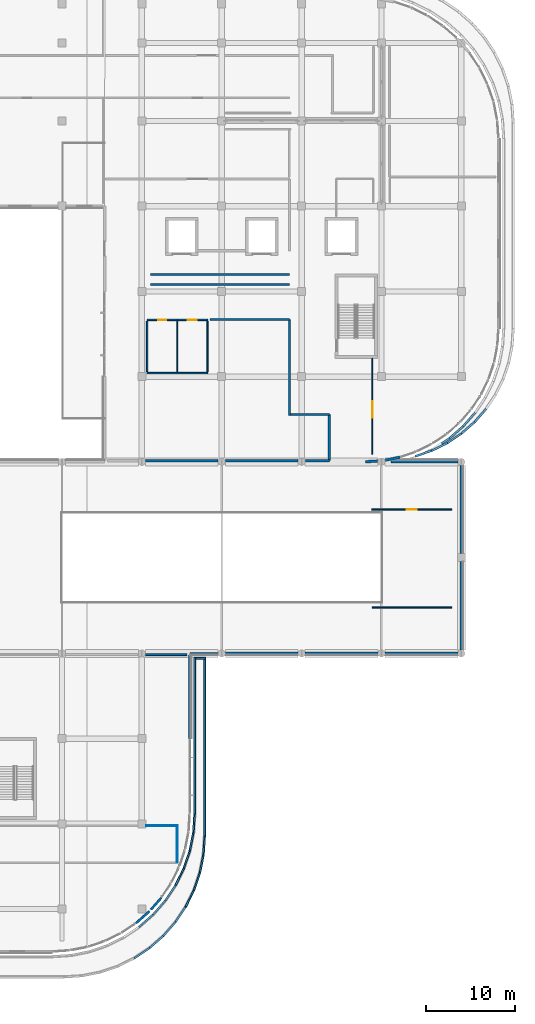
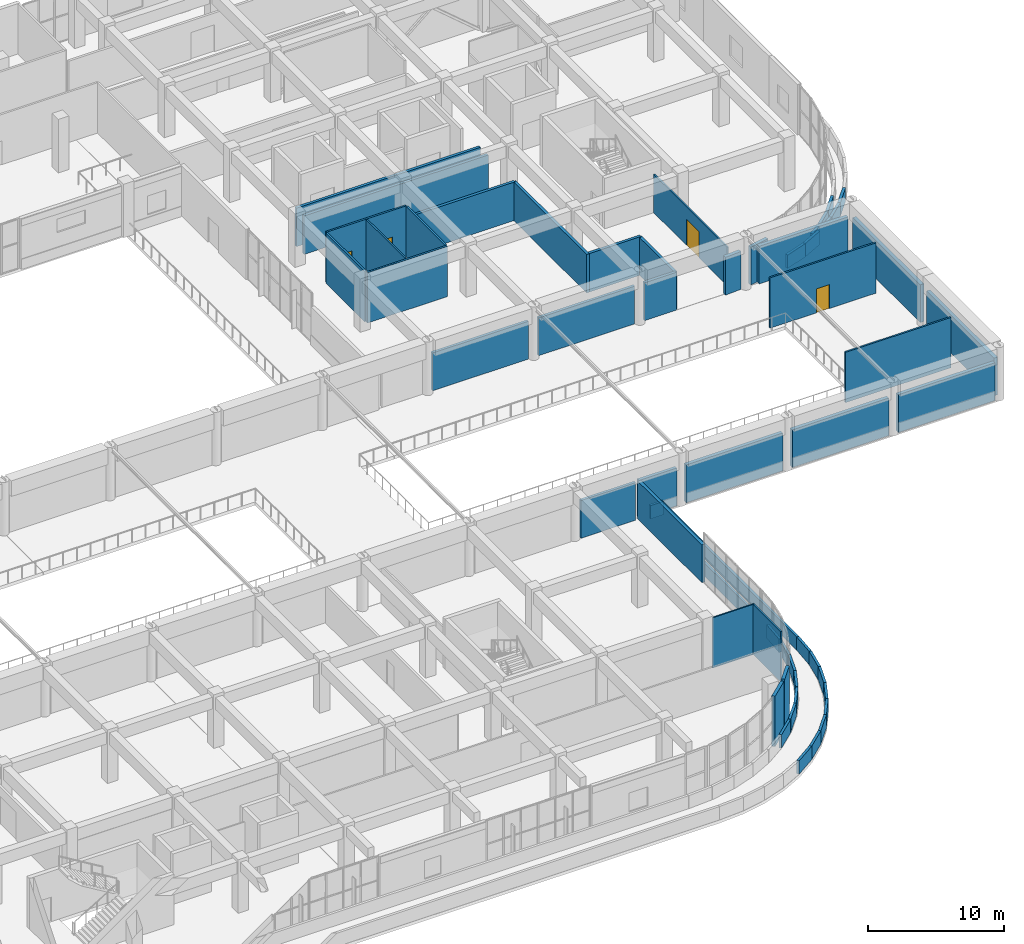
# One storey, part 71 of 96: 59 walls, 4 doors, 4 openings.
"""IFC4 building model written with IfcOpenShell, lengths in metres."""

from ifc_helpers import new_model, si_unit, direction, frame, frame_2d, origin, place, context, subcontext, project, spatial, rectangle, extrude, material, layer, layer_set, type_object, element, fill, save


model = new_model("IFC4")

# Units and contexts
model_context = context("Model", 3, precision=1e-05, world=origin(), true_north=direction((0.0, 1.0)))
body_context = subcontext(model_context, "Body", "Model", "MODEL_VIEW")
ifc_project = project(units=[si_unit("LENGTHUNIT", "METRE"), si_unit("AREAUNIT", "SQUARE_METRE"), si_unit("VOLUMEUNIT", "CUBIC_METRE"), si_unit("PLANEANGLEUNIT", "RADIAN"), si_unit("MASSUNIT", "GRAM", prefix="KILO")], contexts=[model_context])

# Site, building, storey
site_placement = place(None, origin())
site = spatial("IfcSite", under=ifc_project, at=site_placement, CompositionType="ELEMENT")
building_placement = place(site_placement, origin())
building = spatial("IfcBuilding", under=site, at=building_placement, Name="Cendralis Terraced Arcade", CompositionType="ELEMENT")
storey_placement = place(building_placement, frame((0.0, 0.0, 10.199951171875)))
storey = spatial("IfcBuildingStorey", under=building, at=storey_placement, Name="L02", CompositionType="ELEMENT", Elevation=10.199951171875)

# Walls
ifc_material_1 = material(Name="Autoclaved aerated concrete blockwork", Category="masonry")
ifc_layer_1 = layer(ifc_material_1, 0.221923828125, Name="WL-ACOU-222")
ifc_layer_set_1 = layer_set([ifc_layer_1], Name="Autoclaved aerated concrete blockwork")
wall_type_1 = type_object("IfcWallType", Name="WL-ACOU-222", PredefinedType="PARTITIONING", material=ifc_layer_set_1)
wall_1_placement = place(storey_placement, frame((130.6201171875, 38.280029296875, 0.0), z_axis=(0.0, 0.0, 1.0), x_axis=(1.0, 0.0, 0.0)))
element("IfcWall", 1, at=wall_1_placement, inside=storey, type_object=wall_type_1, Name="Interior Partition Wall IW-L02-0485", PredefinedType="PARTITIONING", context=body_context, shape_type="SweptSolid", body=[
    extrude(rectangle(XDim=4.639892578125, YDim=0.221923828125, at=frame_2d((2.31982421875, 0.0))), origin(), (0.0, 0.0, 1.0), 3.39013671875),
])
ifc_material_2 = material(Name="Precast concrete f'c 40 MPa", Category="concrete")
ifc_layer_2 = layer(ifc_material_2, 0.300048828125, Name="WL-EXT-GRC-300")
ifc_layer_set_2 = layer_set([ifc_layer_2], Name="Precast concrete f'c 40 MPa")
wall_type_2 = type_object("IfcWallType", Name="WL-EXT-GRC-300", PredefinedType="SOLIDWALL", material=ifc_layer_set_2)
wall_2_placement = place(storey_placement, frame((159.2822265625, 60.510986328125, 0.0), z_axis=(0.0, 0.0, 1.0), x_axis=(-0.980793314538, -0.195049927345, 0.0)))
element("IfcWall", 2, at=wall_2_placement, inside=storey, type_object=wall_type_2, Name="Exterior Architectural Wall EW-L02-0191", PredefinedType="SOLIDWALL", context=body_context, shape_type="SweptSolid", body=[
    extrude(rectangle(XDim=1.673583984375, YDim=0.300048828125, at=frame_2d((0.8369140625, 0.0))), origin(), (0.0, 0.0, 1.0), 3.39013671875),
])
wall_3_placement = place(storey_placement, frame((156.77001953125, 60.08984375, 0.0), z_axis=(0.0, 0.0, 1.0), x_axis=(-0.99785694905, -0.065433242561, 0.0)))
element("IfcWall", 3, at=wall_3_placement, inside=storey, type_object=wall_type_2, Name="Exterior Architectural Wall EW-L02-0192", PredefinedType="SOLIDWALL", context=body_context, shape_type="SweptSolid", body=[
    extrude(rectangle(XDim=1.373046875, YDim=0.300048828125, at=frame_2d((0.6865234375, 0.0))), origin(), (0.0, 0.0, 1.0), 3.39013671875),
])
wall_4_placement = place(storey_placement, frame((158.255859375, 60.0, 0.0), z_axis=(0.0, 0.0, 1.0), x_axis=(1.0, 0.0, 0.0)))
element("IfcWall", 4, at=wall_4_placement, inside=storey, type_object=wall_type_2, Name="Exterior Architectural Wall EW-L02-0194", PredefinedType="SOLIDWALL", context=body_context, shape_type="SweptSolid", body=[
    extrude(rectangle(XDim=7.546142578125, YDim=0.300048828125, at=frame_2d((3.77294921875, 0.0))), origin(), (0.0, 0.0, 1.0), 3.39013671875),
])
wall_5_placement = place(storey_placement, frame((166.199951171875, 59.60205078125, 0.0), z_axis=(0.0, 0.0, 1.0), x_axis=(0.0, -1.0, 0.0)))
element("IfcWall", 5, at=wall_5_placement, inside=storey, type_object=wall_type_2, Name="Exterior Architectural Wall EW-L02-0195", PredefinedType="SOLIDWALL", context=body_context, shape_type="SweptSolid", body=[
    extrude(rectangle(XDim=9.9541015625, YDim=0.300048828125, at=frame_2d((4.97705078125, 0.0))), origin(), (0.0, 0.0, 1.0), 3.39013671875),
])
wall_6_placement = place(storey_placement, frame((166.199951171875, 48.751953125, 0.0), z_axis=(0.0, 0.0, 1.0), x_axis=(0.0, -1.0, 0.0)))
element("IfcWall", 6, at=wall_6_placement, inside=storey, type_object=wall_type_2, Name="Exterior Architectural Wall EW-L02-0196", PredefinedType="SOLIDWALL", context=body_context, shape_type="SweptSolid", body=[
    extrude(rectangle(XDim=9.953857421875, YDim=0.300048828125, at=frame_2d((4.97705078125, 0.0))), origin(), (0.0, 0.0, 1.0), 3.39013671875),
])
for number, where, z_axis, x_axis, name in (
    (7, (165.802001953125, 38.39990234375, 0.0), (0.0, 0.0, 1.0), (-1.0, 0.0, 0.0), "Exterior Architectural Wall EW-L02-0197"),
    (8, (156.802001953125, 38.39990234375, 0.0), (0.0, 0.0, 1.0), (-1.0, 0.0, 0.0), "Exterior Architectural Wall EW-L02-0198"),
    (9, (147.802001953125, 38.39990234375, 0.0), (0.0, 0.0, 1.0), (-1.0, 0.0, 0.0), "Exterior Architectural Wall EW-L02-0199"),
):
    element("IfcWall", number, at=place(storey_placement, frame(where, z_axis=z_axis, x_axis=x_axis)), inside=storey, type_object=wall_type_2, Name=name, PredefinedType="SOLIDWALL", context=body_context, shape_type="SweptSolid", body=[
        extrude(rectangle(XDim=8.2041015625, YDim=0.300048828125, at=frame_2d((4.10205078125, 0.0))), origin(), (0.0, 0.0, 1.0), 3.39013671875),
    ])
ifc_material_3 = material(Name="Terracotta clay masonry", Category="masonry")
ifc_layer_3 = layer(ifc_material_3, 0.264892578125, Name="WL-EXT-TER-265")
ifc_layer_set_3 = layer_set([ifc_layer_3], Name="Terracotta clay masonry")
wall_type_3 = type_object("IfcWallType", Name="WL-EXT-TER-265", PredefinedType="SOLIDWALL", material=ifc_layer_set_3)
wall_7_placement = place(storey_placement, frame((138.802001953125, 38.39990234375, 0.0), z_axis=(0.0, 0.0, 1.0), x_axis=(-1.0, 0.0, 0.0)))
element("IfcWall", 10, at=wall_7_placement, inside=storey, type_object=wall_type_3, Name="Exterior Architectural Wall EW-L02-0200", PredefinedType="SOLIDWALL", context=body_context, shape_type="SweptSolid", body=[
    extrude(rectangle(XDim=3.201904296875, YDim=0.264892578125, at=frame_2d((1.60107421875, 0.0))), origin(), (0.0, 0.0, 1.0), 3.39013671875),
])
wall_8_placement = place(storey_placement, frame((135.60009765625, 38.24755859375, 0.0), z_axis=(0.0, 0.0, 1.0), x_axis=(0.0, -1.0, 0.0)))
element("IfcWall", 11, at=wall_8_placement, inside=storey, type_object=wall_type_3, Name="Exterior Architectural Wall EW-L02-0201", PredefinedType="SOLIDWALL", context=body_context, shape_type="SweptSolid", body=[
    extrude(rectangle(XDim=9.447509765625, YDim=0.264892578125, at=frame_2d((4.7236328125, 0.0))), origin(), (0.0, 0.0, 1.0), 3.39013671875),
])
wall_9_placement = place(storey_placement, frame((132.39697265625, 10.8642578125, 0.0), z_axis=(0.0, 0.0, 1.0), x_axis=(-0.659277438411, -0.751899766726, 0.0)))
element("IfcWall", 12, at=wall_9_placement, inside=storey, type_object=wall_type_3, Name="Exterior Architectural Wall EW-L02-0202", PredefinedType="SOLIDWALL", context=body_context, shape_type="SweptSolid", body=[
    extrude(rectangle(XDim=1.76611328125, YDim=0.264892578125, at=frame_2d((0.883056640625, 0.0))), origin(), (0.0, 0.0, 1.0), 4.51513671875),
])
wall_10_placement = place(storey_placement, frame((131.060302734375, 9.33984375, 0.0), z_axis=(0.0, 0.0, 1.0), x_axis=(-0.751830318908, -0.659356634584, 0.0)))
element("IfcWall", 13, at=wall_10_placement, inside=storey, type_object=wall_type_3, Name="Exterior Architectural Wall EW-L02-0203", PredefinedType="SOLIDWALL", context=body_context, shape_type="SweptSolid", body=[
    extrude(rectangle(XDim=2.027587890625, YDim=0.264892578125, at=frame_2d((1.013671875, 0.0))), origin(), (0.0, 0.0, 1.0), 4.51513671875),
])
ifc_layer_4 = layer(ifc_material_1, 0.235107421875, Name="WL-FIRE-235")
ifc_layer_set_4 = layer_set([ifc_layer_4], Name="Autoclaved aerated concrete blockwork")
wall_type_4 = type_object("IfcWallType", Name="WL-FIRE-235", PredefinedType="PARTITIONING", material=ifc_layer_set_4)
for number, where, z_axis, x_axis, name in (
    (14, (131.179931640625, 81.1201171875, 0.0), (0.0, 0.0, 1.0), (1.0, 0.0, 0.0), "Interior Partition Wall IW-L02-0500"),
    (15, (146.820068359375, 79.97998046875, 0.0), (0.0, 0.0, 1.0), (-1.0, 0.0, 0.0), "Interior Partition Wall IW-L02-0501"),
):
    element("IfcWall", number, at=place(storey_placement, frame(where, z_axis=z_axis, x_axis=x_axis)), inside=storey, type_object=wall_type_4, Name=name, PredefinedType="PARTITIONING", context=body_context, shape_type="SweptSolid", body=[
        extrude(rectangle(XDim=15.64013671875, YDim=0.235107421875, at=frame_2d((7.820068359375, 0.0))), origin(), (0.0, 0.0, 1.0), 3.455078125),
    ])
wall_11_placement = place(storey_placement, frame((146.820068359375, 76.02001953125, 0.0), z_axis=(0.0, 0.0, 1.0), x_axis=(0.0, -1.0, 0.0)))
element("IfcWall", 16, at=wall_11_placement, inside=storey, type_object=wall_type_4, Name="Interior Partition Wall IW-L02-0502", PredefinedType="PARTITIONING", context=body_context, shape_type="SweptSolid", body=[
    extrude(rectangle(XDim=10.817626953125, YDim=0.235107421875, at=frame_2d((5.40869140625, 0.0))), origin(), (0.0, 0.0, 1.0), 3.455078125),
])
wall_12_placement = place(storey_placement, frame((137.85888671875, 76.02001953125, 0.0), z_axis=(0.0, 0.0, 1.0), x_axis=(1.0, 0.0, 0.0)))
element("IfcWall", 17, at=wall_12_placement, inside=storey, type_object=wall_type_4, Name="Interior Partition Wall IW-L02-0503", PredefinedType="PARTITIONING", context=body_context, shape_type="SweptSolid", body=[
    extrude(rectangle(XDim=8.961181640625, YDim=0.235107421875, at=frame_2d((4.48046875, 0.0))), origin(), (0.0, 0.0, 1.0), 3.455078125),
])
wall_13_placement = place(storey_placement, frame((151.320068359375, 65.320068359375, 0.0), z_axis=(0.0, 0.0, 1.0), x_axis=(0.0, -1.0, 0.0)))
element("IfcWall", 18, at=wall_13_placement, inside=storey, type_object=wall_type_4, Name="Interior Partition Wall IW-L02-0505", PredefinedType="PARTITIONING", context=body_context, shape_type="SweptSolid", body=[
    extrude(rectangle(XDim=5.199951171875, YDim=0.235107421875, at=frame_2d((2.60009765625, 0.0))), origin(), (0.0, 0.0, 1.0), 3.39013671875),
])
wall_14_placement = place(storey_placement, frame((146.9375, 65.320068359375, 0.0), z_axis=(0.0, 0.0, 1.0), x_axis=(1.0, 0.0, 0.0)))
element("IfcWall", 19, at=wall_14_placement, inside=storey, type_object=wall_type_4, Name="Interior Partition Wall IW-L02-0507", PredefinedType="PARTITIONING", context=body_context, shape_type="SweptSolid", body=[
    extrude(rectangle(XDim=4.382568359375, YDim=0.235107421875, at=frame_2d((2.19140625, 0.0))), origin(), (0.0, 0.0, 1.0), 3.455078125),
])
wall_15_placement = place(storey_placement, frame((151.320068359375, 60.1201171875, 0.0), z_axis=(0.0, 0.0, 1.0), x_axis=(-1.0, 0.0, 0.0)))
element("IfcWall", 20, at=wall_15_placement, inside=storey, type_object=wall_type_4, Name="Interior Partition Wall IW-L02-0509", PredefinedType="PARTITIONING", context=body_context, shape_type="SweptSolid", body=[
    extrude(rectangle(XDim=2.699951171875, YDim=0.235107421875, at=frame_2d((1.35009765625, 0.0))), origin(), (0.0, 0.0, 1.0), 3.39013671875),
])
for number, where, z_axis, x_axis, name in (
    (21, (138.780029296875, 60.1201171875, 0.0), (0.0, 0.0, 1.0), (-1.0, 0.0, 0.0), "Interior Partition Wall IW-L02-0510"),
    (22, (147.780029296875, 60.1201171875, 0.0), (0.0, 0.0, 1.0), (-1.0, 0.0, 0.0), "Interior Partition Wall IW-L02-0511"),
):
    element("IfcWall", number, at=place(storey_placement, frame(where, z_axis=z_axis, x_axis=x_axis)), inside=storey, type_object=wall_type_4, Name=name, PredefinedType="PARTITIONING", context=body_context, shape_type="SweptSolid", body=[
        extrude(rectangle(XDim=8.159912109375, YDim=0.235107421875, at=frame_2d((4.080078125, 0.0))), origin(), (0.0, 0.0, 1.0), 3.39013671875),
    ])
ifc_layer_5 = layer(ifc_material_2, 0.205078125, Name="WL-PAR-205")
ifc_layer_set_5 = layer_set([ifc_layer_5], Name="Precast concrete f'c 40 MPa")
wall_type_5 = type_object("IfcWallType", Name="WL-PAR-205", PredefinedType="PARAPET", material=ifc_layer_set_5)
wall_16_placement = place(storey_placement, frame((136.072265625, 11.731201171875, 0.0), z_axis=(0.0, 0.0, 1.0), x_axis=(-0.442354182344, -0.896840441418, 0.0)))
element("IfcWall", 23, at=wall_16_placement, inside=storey, type_object=wall_type_5, Name="Precast Concrete Roof Parapet Wall PAR-L02-097", PredefinedType="PARAPET", context=body_context, shape_type="SweptSolid", body=[
    extrude(rectangle(XDim=2.0927734375, YDim=0.205078125, at=frame_2d((1.04638671875, 0.0))), origin(), (0.0, 0.0, 1.0), 1.199951171875),
])
for number, where, z_axis, x_axis, name in (
    (24, (135.154541015625, 9.8681640625, 0.0), (0.0, 0.0, 1.0), (-0.555588189518, -0.831457613874, 0.0), "Precast Concrete Roof Parapet Wall PAR-L02-098"),
    (25, (134.001708984375, 8.140625, 0.0), (0.0, 0.0, 1.0), (-0.659404278404, -0.751788532516, 0.0), "Precast Concrete Roof Parapet Wall PAR-L02-099"),
):
    element("IfcWall", number, at=place(storey_placement, frame(where, z_axis=z_axis, x_axis=x_axis)), inside=storey, type_object=wall_type_5, Name=name, PredefinedType="PARAPET", context=body_context, shape_type="SweptSolid", body=[
        extrude(rectangle(XDim=2.093017578125, YDim=0.205078125, at=frame_2d((1.04638671875, 0.0))), origin(), (0.0, 0.0, 1.0), 1.199951171875),
    ])
wall_17_placement = place(storey_placement, frame((132.6328125, 6.578369140625, 0.0), z_axis=(0.0, 0.0, 1.0), x_axis=(-0.751846359684, -0.659338343667, 0.0)))
element("IfcWall", 26, at=wall_17_placement, inside=storey, type_object=wall_type_5, Name="Precast Concrete Roof Parapet Wall PAR-L02-100", PredefinedType="PARAPET", context=body_context, shape_type="SweptSolid", body=[
    extrude(rectangle(XDim=2.0927734375, YDim=0.205078125, at=frame_2d((1.04638671875, 0.0))), origin(), (0.0, 0.0, 1.0), 1.199951171875),
])
wall_18_placement = place(storey_placement, frame((131.072021484375, 5.208251953125, 0.0), z_axis=(0.0, 0.0, 1.0), x_axis=(-0.831457613874, -0.555588189518, 0.0)))
element("IfcWall", 27, at=wall_18_placement, inside=storey, type_object=wall_type_5, Name="Precast Concrete Roof Parapet Wall PAR-L02-101", PredefinedType="PARAPET", context=body_context, shape_type="SweptSolid", body=[
    extrude(rectangle(XDim=2.093017578125, YDim=0.205078125, at=frame_2d((1.04638671875, 0.0))), origin(), (0.0, 0.0, 1.0), 1.199951171875),
])
wall_19_placement = place(storey_placement, frame((129.872802734375, 7.576904296875, 0.0), z_axis=(0.0, 0.0, 1.0), x_axis=(0.751835567568, 0.659350649761, 0.0)))
element("IfcWall", 28, at=wall_19_placement, inside=storey, type_object=wall_type_5, Name="Precast Concrete Roof Parapet Wall PAR-L02-161", PredefinedType="PARAPET", context=body_context, shape_type="SweptSolid", body=[
    extrude(rectangle(XDim=2.082763671875, YDim=0.205078125, at=frame_2d((1.04150390625, 0.0))), origin(), (0.0, 0.0, 1.0), 1.199951171875),
])
for number, where, z_axis, x_axis, name in (
    (29, (131.449951171875, 8.96142578125, 0.0), (0.0, 0.0, 1.0), (0.659342497809, 0.751842716652, 0.0), "Precast Concrete Roof Parapet Wall PAR-L02-162"),
    (30, (132.832763671875, 10.539794921875, 0.0), (0.0, 0.0, 1.0), (0.555538538074, 0.831490789314, 0.0), "Precast Concrete Roof Parapet Wall PAR-L02-163"),
    (31, (133.997802734375, 12.285400390625, 0.0), (0.0, 0.0, 1.0), (0.442329946041, 0.896852395233, 0.0), "Precast Concrete Roof Parapet Wall PAR-L02-164"),
    (32, (134.925048828125, 14.16796875, 0.0), (0.0, 0.0, 1.0), (0.321463428234, 0.946921994838, 0.0), "Precast Concrete Roof Parapet Wall PAR-L02-165"),
    (33, (135.5986328125, 16.155517578125, 0.0), (0.0, 0.0, 1.0), (0.195078947103, 0.980787542946, 0.0), "Precast Concrete Roof Parapet Wall PAR-L02-166"),
):
    element("IfcWall", number, at=place(storey_placement, frame(where, z_axis=z_axis, x_axis=x_axis)), inside=storey, type_object=wall_type_5, Name=name, PredefinedType="PARAPET", context=body_context, shape_type="SweptSolid", body=[
        extrude(rectangle(XDim=2.08251953125, YDim=0.205078125, at=frame_2d((1.041259765625, 0.0))), origin(), (0.0, 0.0, 1.0), 1.199951171875),
    ])
wall_20_placement = place(storey_placement, frame((136.0068359375, 18.2138671875, 0.0), z_axis=(0.0, 0.0, 1.0), x_axis=(0.065375455078, 0.997860736713, 0.0)))
element("IfcWall", 34, at=wall_20_placement, inside=storey, type_object=wall_type_5, Name="Precast Concrete Roof Parapet Wall PAR-L02-167", PredefinedType="PARAPET", context=body_context, shape_type="SweptSolid", body=[
    extrude(rectangle(XDim=2.06884765625, YDim=0.205078125, at=frame_2d((1.034423828125, 0.0))), origin(), (0.0, 0.0, 1.0), 1.199951171875),
])
wall_21_placement = place(storey_placement, frame((136.142578125, 20.286376953125, 0.0), z_axis=(0.0, 0.0, 1.0), x_axis=(0.0, 1.0, 0.0)))
element("IfcWall", 35, at=wall_21_placement, inside=storey, type_object=wall_type_5, Name="Precast Concrete Roof Parapet Wall PAR-L02-168", PredefinedType="PARAPET", context=body_context, shape_type="SweptSolid", body=[
    extrude(rectangle(XDim=17.693603515625, YDim=0.205078125, at=frame_2d((8.8466796875, 0.0))), origin(), (0.0, 0.0, 1.0), 1.199951171875),
])
wall_22_placement = place(storey_placement, frame((136.264892578125, 37.857421875, 0.0), z_axis=(0.0, 0.0, 1.0), x_axis=(1.0, 0.0, 0.0)))
element("IfcWall", 36, at=wall_22_placement, inside=storey, type_object=wall_type_5, Name="Precast Concrete Roof Parapet Wall PAR-L02-169", PredefinedType="PARAPET", context=body_context, shape_type="SweptSolid", body=[
    extrude(rectangle(XDim=1.135009765625, YDim=0.205078125, at=frame_2d((0.5673828125, 0.0))), origin(), (0.0, 0.0, 1.0), 1.199951171875),
])
wall_23_placement = place(storey_placement, frame((137.277587890625, 37.735107421875, 0.0), z_axis=(0.0, 0.0, 1.0), x_axis=(0.0, -1.0, 0.0)))
element("IfcWall", 37, at=wall_23_placement, inside=storey, type_object=wall_type_5, Name="Precast Concrete Roof Parapet Wall PAR-L02-170", PredefinedType="PARAPET", context=body_context, shape_type="SweptSolid", body=[
    extrude(rectangle(XDim=19.93505859375, YDim=0.205078125, at=frame_2d((9.967529296875, 0.0))), origin(), (0.0, 0.0, 1.0), 1.199951171875),
])
for number, where, z_axis, x_axis, name in (
    (38, (137.27783203125, 17.80810546875, 0.0), (0.0, 0.0, 1.0), (-0.065435146508, -0.997856824199, 0.0), "Precast Concrete Roof Parapet Wall PAR-L02-171"),
    (39, (137.14306640625, 15.735595703125, 0.0), (0.0, 0.0, 1.0), (-0.195151454234, -0.980773118469, 0.0), "Precast Concrete Roof Parapet Wall PAR-L02-172"),
):
    element("IfcWall", number, at=place(storey_placement, frame(where, z_axis=z_axis, x_axis=x_axis)), inside=storey, type_object=wall_type_5, Name=name, PredefinedType="PARAPET", context=body_context, shape_type="SweptSolid", body=[
        extrude(rectangle(XDim=2.093017578125, YDim=0.205078125, at=frame_2d((1.04638671875, 0.0))), origin(), (0.0, 0.0, 1.0), 1.199951171875),
    ])
wall_24_placement = place(storey_placement, frame((136.73876953125, 13.6982421875, 0.0), z_axis=(0.0, 0.0, 1.0), x_axis=(-0.321402829412, -0.946942564914, 0.0)))
element("IfcWall", 40, at=wall_24_placement, inside=storey, type_object=wall_type_5, Name="Precast Concrete Roof Parapet Wall PAR-L02-173", PredefinedType="PARAPET", context=body_context, shape_type="SweptSolid", body=[
    extrude(rectangle(XDim=2.0927734375, YDim=0.205078125, at=frame_2d((1.04638671875, 0.0))), origin(), (0.0, 0.0, 1.0), 1.199951171875),
])
ifc_layer_6 = layer(ifc_material_2, 0.22998046875, Name="WL-PAR-230")
ifc_layer_set_6 = layer_set([ifc_layer_6], Name="Precast concrete f'c 40 MPa")
wall_type_6 = type_object("IfcWallType", Name="WL-PAR-230", PredefinedType="PARAPET", material=ifc_layer_set_6)
for number, where, z_axis, x_axis, name in (
    (41, (168.998779296875, 65.95751953125, 0.0), (0.0, 0.0, 1.0), (-0.659367493455, -0.751820795519, 0.0), "Precast Concrete Roof Parapet Wall PAR-L02-055"),
    (42, (167.717529296875, 64.494873046875, 0.0), (0.0, 0.0, 1.0), (-0.751820795519, -0.659367493455, 0.0), "Precast Concrete Roof Parapet Wall PAR-L02-056"),
):
    element("IfcWall", number, at=place(storey_placement, frame(where, z_axis=z_axis, x_axis=x_axis)), inside=storey, type_object=wall_type_6, Name=name, PredefinedType="PARAPET", context=body_context, shape_type="SweptSolid", body=[
        extrude(rectangle(XDim=1.9619140625, YDim=0.22998046875, at=frame_2d((0.98095703125, 0.0))), origin(), (0.0, 0.0, 1.0), 1.199951171875),
    ])
for number, where, z_axis, x_axis, name in (
    (43, (166.25634765625, 63.2119140625, 0.0), (0.0, 0.0, 1.0), (-0.831456371993, -0.555590048032, 0.0), "Precast Concrete Roof Parapet Wall PAR-L02-057"),
    (44, (164.640380859375, 62.130615234375, 0.0), (0.0, 0.0, 1.0), (-0.89690197153, -0.44222941271, 0.0), "Precast Concrete Roof Parapet Wall PAR-L02-058"),
    (45, (162.89697265625, 61.26953125, 0.0), (0.0, 0.0, 1.0), (-0.946952333269, -0.321374047672, 0.0), "Precast Concrete Roof Parapet Wall PAR-L02-059"),
):
    element("IfcWall", number, at=place(storey_placement, frame(where, z_axis=z_axis, x_axis=x_axis)), inside=storey, type_object=wall_type_6, Name=name, PredefinedType="PARAPET", context=body_context, shape_type="SweptSolid", body=[
        extrude(rectangle(XDim=1.962158203125, YDim=0.22998046875, at=frame_2d((0.98095703125, 0.0))), origin(), (0.0, 0.0, 1.0), 1.199951171875),
    ])
wall_25_placement = place(storey_placement, frame((163.977294921875, 62.06201171875, 0.0), z_axis=(0.0, 0.0, 1.0), x_axis=(0.831450094378, 0.555599442548, 0.0)))
element("IfcWall", 46, at=wall_25_placement, inside=storey, type_object=wall_type_6, Name="Precast Concrete Roof Parapet Wall PAR-L02-061", PredefinedType="PARAPET", context=body_context, shape_type="SweptSolid", body=[
    extrude(rectangle(XDim=1.064697265625, YDim=0.22998046875, at=frame_2d((0.5322265625, 0.0))), origin(), (0.0, 0.0, 1.0), 1.199951171875),
])
wall_26_placement = place(storey_placement, frame((164.876708984375, 62.664306640625, 0.0), z_axis=(0.0, 0.0, 1.0), x_axis=(0.751826475426, 0.659361017083, 0.0)))
element("IfcWall", 47, at=wall_26_placement, inside=storey, type_object=wall_type_6, Name="Precast Concrete Roof Parapet Wall PAR-L02-062", PredefinedType="PARAPET", context=body_context, shape_type="SweptSolid", body=[
    extrude(rectangle(XDim=2.017333984375, YDim=0.22998046875, at=frame_2d((1.0087890625, 0.0))), origin(), (0.0, 0.0, 1.0), 1.199951171875),
])
wall_27_placement = place(storey_placement, frame((166.40576171875, 64.0068359375, 0.0), z_axis=(0.0, 0.0, 1.0), x_axis=(0.659292598609, 0.751886473758, 0.0)))
element("IfcWall", 48, at=wall_27_placement, inside=storey, type_object=wall_type_6, Name="Precast Concrete Roof Parapet Wall PAR-L02-063", PredefinedType="PARAPET", context=body_context, shape_type="SweptSolid", body=[
    extrude(rectangle(XDim=2.01708984375, YDim=0.22998046875, at=frame_2d((1.008544921875, 0.0))), origin(), (0.0, 0.0, 1.0), 1.199951171875),
])
ifc_material_4 = material(Name="Gypsum plasterboard acoustic partition", Category="concrete")
ifc_layer_7 = layer(ifc_material_4, 0.10791015625, Name="WL-PART-108")
ifc_layer_set_7 = layer_set([ifc_layer_7], Name="Gypsum plasterboard acoustic partition")
wall_type_7 = type_object("IfcWallType", Name="WL-PART-108", PredefinedType="PARTITIONING", material=ifc_layer_set_7)
wall_28_placement = place(storey_placement, frame((134.179931640625, 14.886962890625, 0.0), z_axis=(0.0, 0.0, 1.0), x_axis=(0.0, 1.0, 0.0)))
element("IfcWall", 49, at=wall_28_placement, inside=storey, type_object=wall_type_7, Name="Interior Partition Wall IW-L02-0483", PredefinedType="PARTITIONING", context=body_context, shape_type="SweptSolid", body=[
    extrude(rectangle(XDim=4.037109375, YDim=0.10791015625, at=frame_2d((2.0185546875, 0.0))), origin(), (0.0, 0.0, 1.0), 4.51513671875),
])
ifc_layer_8 = layer(ifc_material_4, 0.112060546875, Name="WL-PART-112")
ifc_layer_set_8 = layer_set([ifc_layer_8], Name="Gypsum plasterboard acoustic partition")
wall_type_8 = type_object("IfcWallType", Name="WL-PART-112", PredefinedType="PARTITIONING", material=ifc_layer_set_8)
wall_29_placement = place(storey_placement, frame((134.23388671875, 18.97998046875, 0.0), z_axis=(0.0, 0.0, 1.0), x_axis=(-1.0, 0.0, 0.0)))
element("IfcWall", 50, at=wall_29_placement, inside=storey, type_object=wall_type_8, Name="Interior Partition Wall IW-L02-0482", PredefinedType="PARTITIONING", context=body_context, shape_type="SweptSolid", body=[
    extrude(rectangle(XDim=3.56396484375, YDim=0.112060546875, at=frame_2d((1.781982421875, 0.0))), origin(), (0.0, 0.0, 1.0), 4.51513671875),
])
ifc_layer_9 = layer(ifc_material_4, 0.1298828125, Name="WL-PART-130")
ifc_layer_set_9 = layer_set([ifc_layer_9], Name="Gypsum plasterboard acoustic partition")
wall_type_9 = type_object("IfcWallType", Name="WL-PART-130", PredefinedType="PARTITIONING", material=ifc_layer_set_9)
wall_30_placement = place(storey_placement, frame((134.199951171875, 70.14990234375, 0.0), z_axis=(0.0, 0.0, 1.0), x_axis=(0.0, 1.0, 0.0)))
element("IfcWall", 51, at=wall_30_placement, inside=storey, type_object=wall_type_9, Name="Restroom Enclosure Partition IW-WC-L02-0047", PredefinedType="PARTITIONING", context=body_context, shape_type="SweptSolid", body=[
    extrude(rectangle(XDim=5.7001953125, YDim=0.1298828125, at=frame_2d((2.85009765625, 0.0))), origin(), (0.0, 0.0, 1.0), 4.51513671875),
])

# Wall, opening, door
wall_31_placement = place(storey_placement, frame((156.179931640625, 60.8359375, 0.0), z_axis=(0.0, 0.0, 1.0), x_axis=(0.0, 1.0, 0.0)))
wall_31 = element("IfcWall", 52, at=wall_31_placement, inside=storey, type_object=wall_type_9, Name="Interior Partition Wall IW-L02-0523", PredefinedType="PARTITIONING", context=body_context, shape_type="SweptSolid", body=[
    extrude(rectangle(XDim=10.823974609375, YDim=0.1298828125, at=frame_2d((5.412109375, 0.0))), origin(), (0.0, 0.0, 1.0), 3.455078125),
])
opening_1_placement = place(wall_31_placement, frame((4.136962890625, 0.0, 0.0)))
opening_1 = element("IfcOpeningElement", 53, at=opening_1_placement, cuts=wall_31, Name="Opening D-L02-139", PredefinedType="OPENING", context=body_context, shape_type="SweptSolid", body=[
    extrude(rectangle(XDim=1.85009765625, YDim=2.35009765625, at=frame_2d((0.925048828125, 1.175048828125))), frame((0.0, 0.076904296875, 0.0), z_axis=(0.0, -1.0, 0.0), x_axis=(1.0, 0.0, 0.0)), (0.0, 0.0, 1.0), 0.15380859375),
])
ifc_material_5 = material(Name="Solid core Andean oak veneer door leaf", Category="aluminium")
door_type_1 = type_object("IfcDoorType", Name="ID-DEP-1850x2350", OperationType="DOUBLE_DOOR_SINGLE_SWING", PredefinedType="DOOR", material=ifc_material_5)
door_1_placement = place(opening_1_placement, origin())
door_1 = element("IfcDoor", 54, at=door_1_placement, inside=storey, type_object=door_type_1, Name="Merchandising Atelier Studio Door D-L02-139", OperationType="DOUBLE_DOOR_SINGLE_SWING", OverallHeight=2.35009765625, OverallWidth=1.85009765625, PredefinedType="DOOR", context=body_context, shape_type="SweptSolid", body=[
    extrude(rectangle(XDim=1.85009765625, YDim=2.35009765625, at=frame_2d((0.925048828125, 1.175048828125))), frame((0.0, 0.02490234375, 0.0), z_axis=(0.0, -1.0, 0.0), x_axis=(1.0, 0.0, 0.0)), (0.0, 0.0, 1.0), 0.050048828125),
])
fill(opening_1, door_1)

# Wall
ifc_layer_10 = layer(ifc_material_4, 0.14501953125, Name="WL-PART-145")
ifc_layer_set_10 = layer_set([ifc_layer_10], Name="Gypsum plasterboard acoustic partition")
wall_type_10 = type_object("IfcWallType", Name="WL-PART-145", PredefinedType="PARTITIONING", material=ifc_layer_set_10)
wall_32_placement = place(storey_placement, frame((165.1201171875, 43.580078125, 0.0), z_axis=(0.0, 0.0, 1.0), x_axis=(-1.0, 0.0, 0.0)))
element("IfcWall", 55, at=wall_32_placement, inside=storey, type_object=wall_type_10, Name="Interior Partition Wall IW-L02-0452", PredefinedType="PARTITIONING", context=body_context, shape_type="SweptSolid", body=[
    extrude(rectangle(XDim=8.968017578125, YDim=0.14501953125, at=frame_2d((4.48388671875, 0.0))), origin(), (0.0, 0.0, 1.0), 4.51513671875),
])

# Wall, opening, door
ifc_layer_11 = layer(ifc_material_4, 0.14990234375, Name="WL-PART-150")
ifc_layer_set_11 = layer_set([ifc_layer_11], Name="Gypsum plasterboard acoustic partition")
wall_type_11 = type_object("IfcWallType", Name="WL-PART-150", PredefinedType="PARTITIONING", material=ifc_layer_set_11)
wall_33_placement = place(storey_placement, frame((156.114501953125, 54.6201171875, 0.0), z_axis=(0.0, 0.0, 1.0), x_axis=(1.0, 0.0, 0.0)))
wall_33 = element("IfcWall", 56, at=wall_33_placement, inside=storey, type_object=wall_type_11, Name="Interior Partition Wall IW-L02-0451", PredefinedType="PARTITIONING", context=body_context, shape_type="SweptSolid", body=[
    extrude(rectangle(XDim=9.005615234375, YDim=0.14990234375, at=frame_2d((4.5029296875, 0.0))), origin(), (0.0, 0.0, 1.0), 4.51513671875),
])
opening_2_placement = place(wall_33_placement, frame((3.952880859375, 0.0, 0.0)))
opening_2 = element("IfcOpeningElement", 57, at=opening_2_placement, cuts=wall_33, Name="Opening D-L02-124", PredefinedType="OPENING", context=body_context, shape_type="SweptSolid", body=[
    extrude(rectangle(XDim=1.10009765625, YDim=2.14990234375, at=frame_2d((0.550048828125, 1.074951171875))), frame((0.0, 0.0869140625, 0.0), z_axis=(0.0, -1.0, 0.0), x_axis=(1.0, 0.0, 0.0)), (0.0, 0.0, 1.0), 0.173828125),
])
door_type_2 = type_object("IfcDoorType", Name="ID-RM-1100x2150", OperationType="NOTDEFINED", PredefinedType="DOOR", material=ifc_material_5)
door_2_placement = place(opening_2_placement, origin())
door_2 = element("IfcDoor", 58, at=door_2_placement, inside=storey, type_object=door_type_2, Name="Arcade Design and Craft Boutiques Door D-L02-124", OperationType="SINGLE_SWING_RIGHT", OverallHeight=2.14990234375, OverallWidth=1.10009765625, PredefinedType="DOOR", context=body_context, shape_type="SweptSolid", body=[
    extrude(rectangle(XDim=1.10009765625, YDim=2.14990234375, at=frame_2d((0.550048828125, 1.074951171875))), frame((0.0, 0.02490234375, 0.0), z_axis=(0.0, -1.0, 0.0), x_axis=(1.0, 0.0, 0.0)), (0.0, 0.0, 1.0), 0.050048828125),
])
fill(opening_2, door_2)

# Walls
ifc_layer_12 = layer(ifc_material_4, 0.159912109375, Name="WL-PART-160")
ifc_layer_set_12 = layer_set([ifc_layer_12], Name="Gypsum plasterboard acoustic partition")
wall_type_12 = type_object("IfcWallType", Name="WL-PART-160", PredefinedType="PARTITIONING", material=ifc_layer_set_12)
wall_34_placement = place(storey_placement, frame((130.800048828125, 70.0, 0.0), z_axis=(0.0, 0.0, 1.0), x_axis=(1.0, 0.0, 0.0)))
element("IfcWall", 59, at=wall_34_placement, inside=storey, type_object=wall_type_12, Name="Restroom Enclosure Partition IW-WC-L02-0045", PredefinedType="PARTITIONING", context=body_context, shape_type="SweptSolid", body=[
    extrude(rectangle(XDim=6.800048828125, YDim=0.159912109375, at=frame_2d((3.39990234375, 0.0))), origin(), (0.0, 0.0, 1.0), 4.51513671875),
])
for number, where, z_axis, x_axis, name in (
    (60, (130.800048828125, 70.14990234375, 0.0), (0.0, 0.0, 1.0), (0.0, 1.0, 0.0), "Restroom Enclosure Partition IW-WC-L02-0046"),
    (61, (137.60009765625, 70.14990234375, 0.0), (0.0, 0.0, 1.0), (0.0, 1.0, 0.0), "Restroom Enclosure Partition IW-WC-L02-0048"),
):
    element("IfcWall", number, at=place(storey_placement, frame(where, z_axis=z_axis, x_axis=x_axis)), inside=storey, type_object=wall_type_12, Name=name, PredefinedType="PARTITIONING", context=body_context, shape_type="SweptSolid", body=[
        extrude(rectangle(XDim=5.7001953125, YDim=0.159912109375, at=frame_2d((2.85009765625, 0.0))), origin(), (0.0, 0.0, 1.0), 4.51513671875),
    ])

# Wall, opening, door
wall_35_placement = place(storey_placement, frame((130.800048828125, 76.0, 0.0), z_axis=(0.0, 0.0, 1.0), x_axis=(1.0, 0.0, 0.0)))
wall_35 = element("IfcWall", 62, at=wall_35_placement, inside=storey, type_object=wall_type_12, Name="Restroom Enclosure Partition IW-WC-L02-0049", PredefinedType="PARTITIONING", context=body_context, shape_type="SweptSolid", body=[
    extrude(rectangle(XDim=3.39990234375, YDim=0.159912109375, at=frame_2d((1.699951171875, 0.0))), origin(), (0.0, 0.0, 1.0), 4.51513671875),
])
opening_3_placement = place(wall_35_placement, frame((1.22509765625, 0.0, 0.0)))
opening_3 = element("IfcOpeningElement", 63, at=opening_3_placement, cuts=wall_35, Name="Opening D-WC-L02-017", PredefinedType="OPENING", context=body_context, shape_type="SweptSolid", body=[
    extrude(rectangle(XDim=0.949951171875, YDim=2.080078125, at=frame_2d((0.47509765625, 1.0400390625))), frame((0.0, 0.091796875, 0.0), z_axis=(0.0, -1.0, 0.0), x_axis=(1.0, 0.0, 0.0)), (0.0, 0.0, 1.0), 0.183837890625),
])
door_type_3 = type_object("IfcDoorType", Name="ID-WC-0950x2080", OperationType="NOTDEFINED", PredefinedType="DOOR", material=ifc_material_5)
door_3_placement = place(opening_3_placement, origin())
door_3 = element("IfcDoor", 64, at=door_3_placement, inside=storey, type_object=door_type_3, Name="East Restroom Door (L02)", OperationType="SINGLE_SWING_RIGHT", OverallHeight=2.080078125, OverallWidth=0.949951171875, PredefinedType="DOOR", context=body_context, shape_type="SweptSolid", body=[
    extrude(rectangle(XDim=0.949951171875, YDim=2.080078125, at=frame_2d((0.47509765625, 1.0400390625))), frame((0.0, 0.02490234375, 0.0), z_axis=(0.0, -1.0, 0.0), x_axis=(1.0, 0.0, 0.0)), (0.0, 0.0, 1.0), 0.050048828125),
])
fill(opening_3, door_3)

wall_36_placement = place(storey_placement, frame((134.199951171875, 76.0, 0.0), z_axis=(0.0, 0.0, 1.0), x_axis=(1.0, 0.0, 0.0)))
wall_36 = element("IfcWall", 65, at=wall_36_placement, inside=storey, type_object=wall_type_12, Name="Restroom Enclosure Partition IW-WC-L02-0050", PredefinedType="PARTITIONING", context=body_context, shape_type="SweptSolid", body=[
    extrude(rectangle(XDim=3.400146484375, YDim=0.159912109375, at=frame_2d((1.7001953125, 0.0))), origin(), (0.0, 0.0, 1.0), 4.51513671875),
])
opening_4_placement = place(wall_36_placement, frame((1.18994140625, 0.0, 0.0)))
opening_4 = element("IfcOpeningElement", 66, at=opening_4_placement, cuts=wall_36, Name="Opening D-WC-L02-018", PredefinedType="OPENING", context=body_context, shape_type="SweptSolid", body=[
    extrude(rectangle(XDim=1.02001953125, YDim=2.1201171875, at=frame_2d((0.510009765625, 1.06005859375))), frame((0.0, 0.091796875, 0.0), z_axis=(0.0, -1.0, 0.0), x_axis=(1.0, 0.0, 0.0)), (0.0, 0.0, 1.0), 0.183837890625),
])
door_type_4 = type_object("IfcDoorType", Name="ID-AWC-1020x2120", OperationType="NOTDEFINED", PredefinedType="DOOR", material=ifc_material_5)
door_4_placement = place(opening_4_placement, origin())
door_4 = element("IfcDoor", 67, at=door_4_placement, inside=storey, type_object=door_type_4, Name="East Accessible WC Door (L02)", OperationType="SINGLE_SWING_LEFT", OverallHeight=2.1201171875, OverallWidth=1.02001953125, PredefinedType="DOOR", context=body_context, shape_type="SweptSolid", body=[
    extrude(rectangle(XDim=1.02001953125, YDim=2.1201171875, at=frame_2d((0.510009765625, 1.06005859375))), frame((0.0, 0.02490234375, 0.0), z_axis=(0.0, -1.0, 0.0), x_axis=(1.0, 0.0, 0.0)), (0.0, 0.0, 1.0), 0.050048828125),
])
fill(opening_4, door_4)

save(model, "model.ifc")
